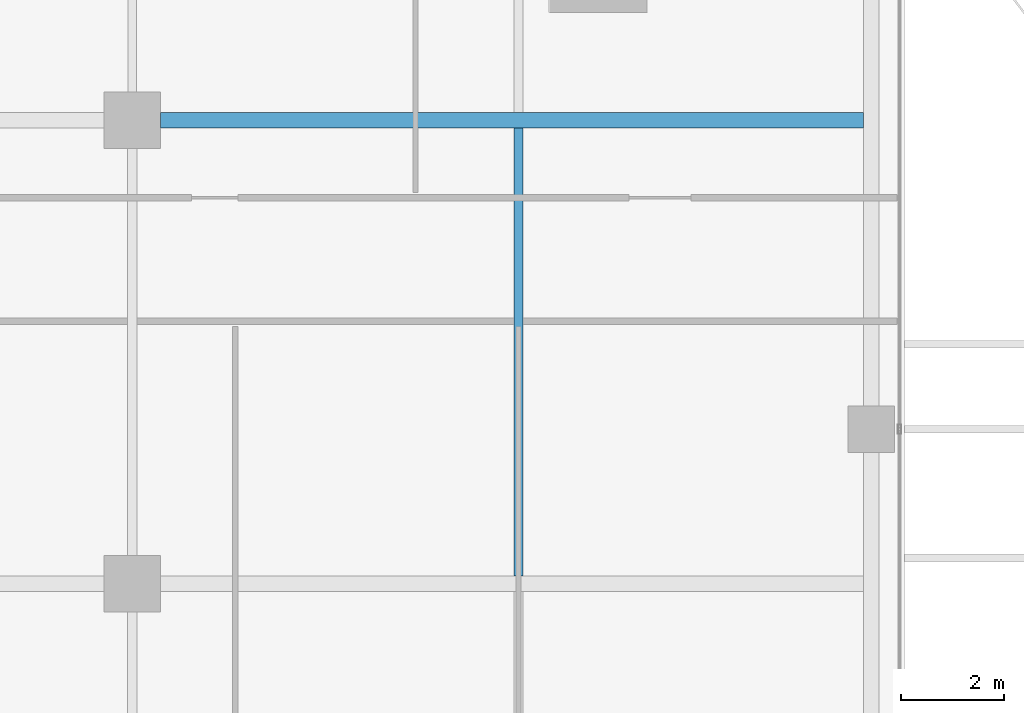
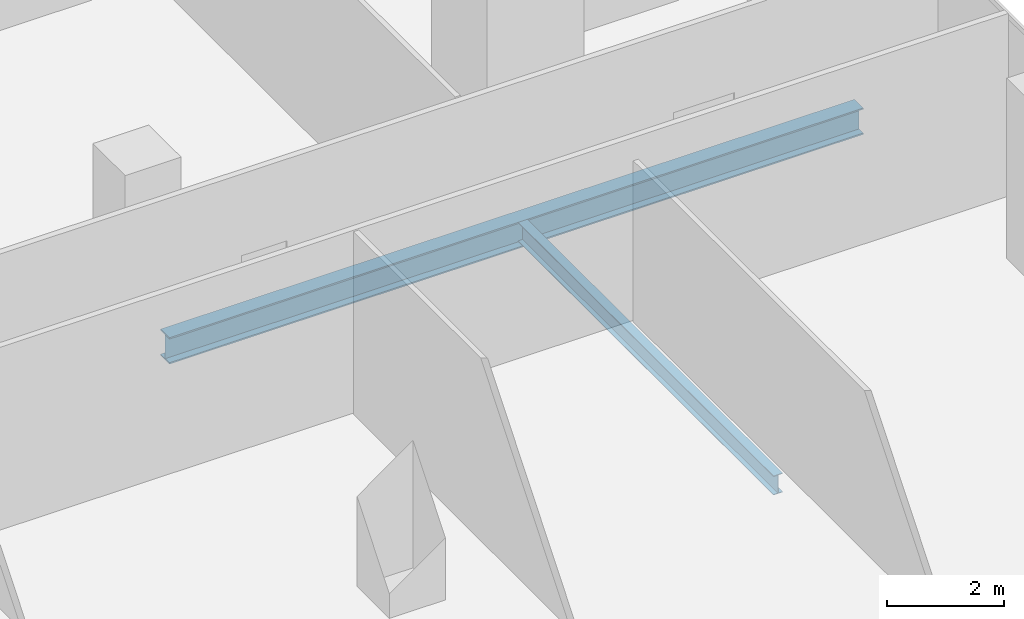
# One storey, part 18 of 35: 2 beams.
"""IFC4 building model written with IfcOpenShell, lengths in metres."""

from ifc_helpers import new_model, si_unit, direction, frame, origin, origin_2d, place, context, subcontext, project, spatial, i_section, extrude, source, transform, mapped, material, material_profile, profile_set, type_object, element, save


model = new_model("IFC4")

# Units and contexts
model_context = context("Model", 3, precision=1e-05, world=origin(), true_north=direction((0.0, 1.0)))
body_context = subcontext(model_context, "Body", "Model", "MODEL_VIEW")
ifc_project = project(units=[si_unit("LENGTHUNIT", "METRE"), si_unit("AREAUNIT", "SQUARE_METRE"), si_unit("VOLUMEUNIT", "CUBIC_METRE"), si_unit("PLANEANGLEUNIT", "RADIAN"), si_unit("MASSUNIT", "GRAM", prefix="KILO")], contexts=[model_context])

# Site, building, storey
site_placement = place(None, origin())
site = spatial("IfcSite", under=ifc_project, at=site_placement, CompositionType="ELEMENT")
building_placement = place(site_placement, origin())
building = spatial("IfcBuilding", under=site, at=building_placement, Name="Khomas Fold Tower", CompositionType="ELEMENT")
storey_placement = place(building_placement, frame((0.0, 0.0, 258.199951171875)))
storey = spatial("IfcBuildingStorey", under=building, at=storey_placement, Name="L58", CompositionType="ELEMENT", Elevation=258.199951171875)

# Beams
ifc_material_1 = material(Name="Steel S355", Category="steel")
ifc_material_profile_1 = material_profile(ifc_material_1, i_section(OverallWidth=0.179931640625, OverallDepth=0.39990234375, WebThickness=0.008544921875, FlangeThickness=0.013427734375, at=origin_2d()), Name="IPE 400")
ifc_profile_set_1 = profile_set([ifc_material_profile_1], Name="Steel S355")
beam_type_1 = type_object("IfcBeamType", Name="IPE 400 beam JB3", PredefinedType="BEAM", material=ifc_profile_set_1)
shared_shape_1 = source(origin(), body_context, "Body", "SweptSolid", [
    extrude(i_section(OverallWidth=0.179931640625, OverallDepth=0.39990234375, WebThickness=0.008544921875, FlangeThickness=0.013427734375, at=origin_2d()), origin(), (0.0, 0.0, 1.0), 8.7001953125),
])
beam_1_placement = place(storey_placement, frame((42.0, 31.64990234375, -0.449951171875), z_axis=(0.0, 1.0, 0.0), x_axis=(-1.0, 0.0, 0.0)))
element("IfcBeam", 1, at=beam_1_placement, inside=storey, type_object=beam_type_1, Name="JB3", PredefinedType="BEAM", context=body_context, shape_type="MappedRepresentation", body=[
    mapped(shared_shape_1, transform((0.0, 0.0, 0.0))),
])
ifc_material_2 = material(Name="Steel S355", Category="steel")
ifc_material_profile_2 = material_profile(ifc_material_2, i_section(OverallWidth=0.300048828125, OverallDepth=0.550048828125, WebThickness=0.014892578125, FlangeThickness=0.029052734375, at=origin_2d()), Name="HE 550 B")
ifc_profile_set_2 = profile_set([ifc_material_profile_2], Name="Steel S355")
beam_type_2 = type_object("IfcBeamType", Name="HE 550 B beam GB4", PredefinedType="BEAM", material=ifc_profile_set_2)
shared_shape_2 = source(origin(), body_context, "Body", "SweptSolid", [
    extrude(i_section(OverallWidth=0.300048828125, OverallDepth=0.550048828125, WebThickness=0.014892578125, FlangeThickness=0.029052734375, at=origin_2d()), origin(), (0.0, 0.0, 1.0), 13.64990234375),
])
beam_2_placement = place(storey_placement, frame((35.050048828125, 40.5, -0.52490234375), z_axis=(1.0, 0.0, 0.0), x_axis=(0.0, 1.0, 0.0)))
element("IfcBeam", 2, at=beam_2_placement, inside=storey, type_object=beam_type_2, Name="GB4", PredefinedType="BEAM", context=body_context, shape_type="MappedRepresentation", body=[
    mapped(shared_shape_2, transform((0.0, 0.0, 0.0))),
])

save(model, "model.ifc")
